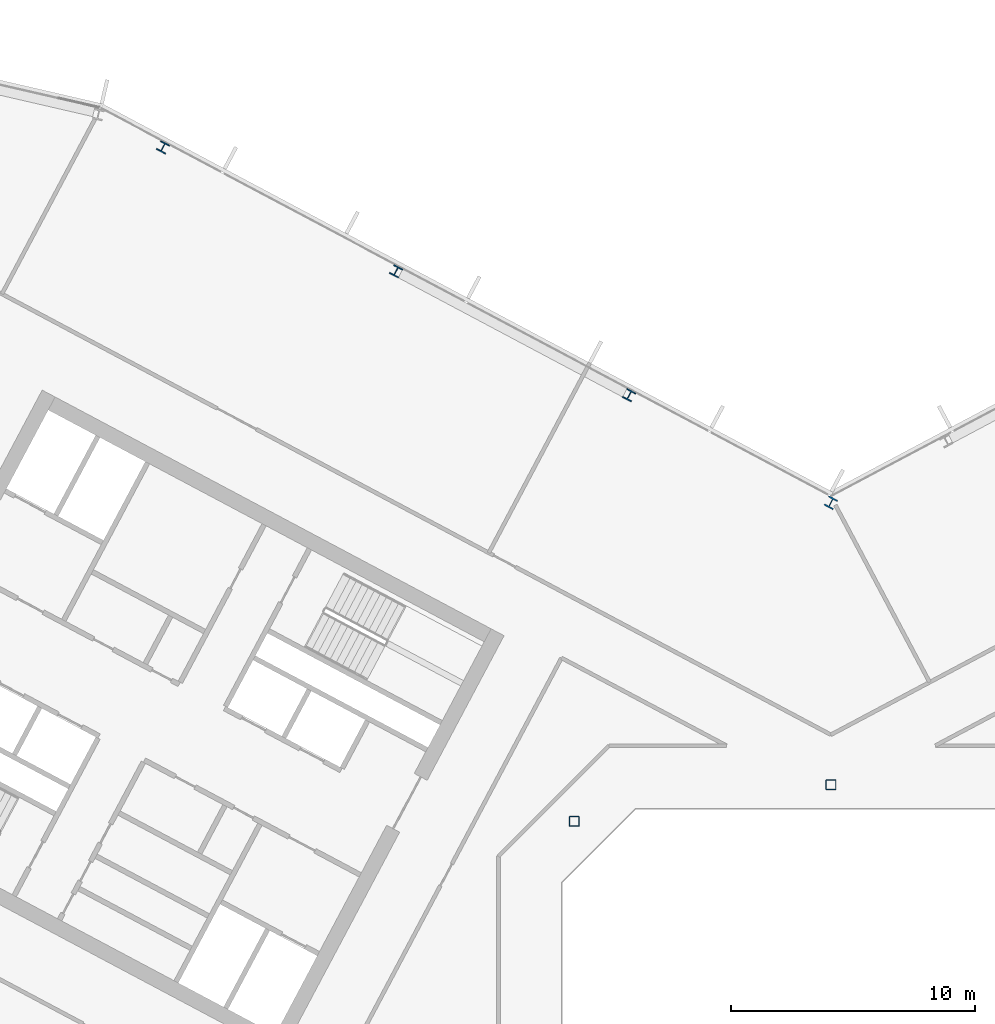
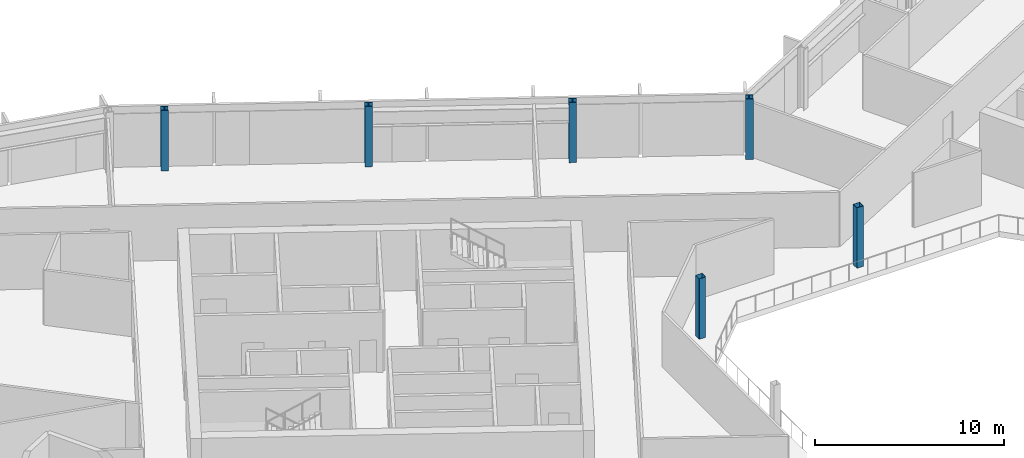
# One storey, part 4 of 26: 6 columns.
"""IFC4 building model written with IfcOpenShell, lengths in metres."""

from ifc_helpers import new_model, si_unit, direction, frame, origin, origin_2d, place, context, subcontext, project, spatial, hollow_rectangle, i_section, extrude, material, material_profile, profile_set, type_object, element, save


model = new_model("IFC4")

# Units and contexts
model_context = context("Model", 3, precision=1e-05, world=origin(), true_north=direction((0.0, 1.0)))
body_context = subcontext(model_context, "Body", "Model", "MODEL_VIEW")
ifc_project = project(units=[si_unit("LENGTHUNIT", "METRE"), si_unit("AREAUNIT", "SQUARE_METRE"), si_unit("VOLUMEUNIT", "CUBIC_METRE"), si_unit("PLANEANGLEUNIT", "RADIAN"), si_unit("MASSUNIT", "GRAM", prefix="KILO")], contexts=[model_context])

# Site, building, storey
site_placement = place(None, origin())
site = spatial("IfcSite", under=ifc_project, at=site_placement, CompositionType="ELEMENT")
building_placement = place(site_placement, origin())
building = spatial("IfcBuilding", under=site, at=building_placement, Name="Cormorant Relay Tower", CompositionType="ELEMENT")
storey_placement = place(building_placement, frame((0.0, 0.0, 244.199951171875)))
storey = spatial("IfcBuildingStorey", under=building, at=storey_placement, Name="L54", CompositionType="ELEMENT", Elevation=244.199951171875)

# Columns
ifc_material_1 = material(Name="Steel ASTM A500 Grade C (Fy 345 MPa)", Category="steel")
ifc_material_profile_1 = material_profile(ifc_material_1, hollow_rectangle(XDim=0.406494140625, YDim=0.406494140625, WallThickness=0.0146484375, InnerFilletRadius=0.00732421875, OuterFilletRadius=0.022216796875, at=origin_2d()), Name="HSS406x406x15")
ifc_profile_set_1 = profile_set([ifc_material_profile_1], Name="Steel ASTM A500 Grade C (Fy 345 MPa)")
column_type_1 = type_object("IfcColumnType", Name="Column HSS406x406x15", PredefinedType="COLUMN", material=ifc_profile_set_1)
for number, where, z_axis, x_axis, name in (
    (1, (-10.5, 10.5, 0.0), (0.0, 0.0, 1.0), (1.0, 0.0, 0.0), "Column L54-023"),
    (2, (0.0, 12.0, 0.0), (0.0, 0.0, 1.0), (1.0, 0.0, 0.0), "Column L54-025"),
):
    element("IfcColumn", number, at=place(storey_placement, frame(where, z_axis=z_axis, x_axis=x_axis)), inside=storey, type_object=column_type_1, Name=name, PredefinedType="COLUMN", context=body_context, shape_type="SweptSolid", body=[
        extrude(hollow_rectangle(XDim=0.406494140625, YDim=0.406494140625, WallThickness=0.0146484375, InnerFilletRadius=0.00732421875, OuterFilletRadius=0.022216796875, at=origin_2d()), origin(), (0.0, 0.0, 1.0), 3.900146484375),
    ])
ifc_material_2 = material(Name="Steel ASTM A992 (Fy 345 MPa)", Category="steel")
ifc_material_profile_2 = material_profile(ifc_material_2, i_section(OverallWidth=0.40380859375, OverallDepth=0.406494140625, WebThickness=0.027099609375, FlangeThickness=0.043701171875, FilletRadius=0.01513671875, at=origin_2d()), Name="W360x347")
ifc_profile_set_2 = profile_set([ifc_material_profile_2], Name="Steel ASTM A992 (Fy 345 MPa)")
column_type_2 = type_object("IfcColumnType", Name="Column W360x347", PredefinedType="COLUMN", material=ifc_profile_set_2)
for number, where, z_axis, x_axis, name in (
    (3, (-8.251953125, 27.93408203125, 0.0), (0.0, 0.0, 1.0), (-0.882947592859, 0.469471562786, 0.0), "Column L54-033"),
    (4, (-17.7880859375, 33.00390625, 0.0), (0.0, 0.0, 1.0), (-0.882947592859, 0.469471562786, 0.0), "Column L54-037"),
    (5, (-27.322998046875, 38.073974609375, 0.0), (0.0, 0.0, 1.0), (-0.882947592859, 0.469471562786, 0.0), "Column L54-040"),
):
    element("IfcColumn", number, at=place(storey_placement, frame(where, z_axis=z_axis, x_axis=x_axis)), inside=storey, type_object=column_type_2, Name=name, PredefinedType="COLUMN", context=body_context, shape_type="SweptSolid", body=[
        extrude(i_section(OverallWidth=0.40380859375, OverallDepth=0.406494140625, WebThickness=0.027099609375, FlangeThickness=0.043701171875, FilletRadius=0.01513671875, at=origin_2d()), origin(), (0.0, 0.0, 1.0), 3.900146484375),
    ])
ifc_material_3 = material(Name="Steel ASTM A992 (Fy 345 MPa)", Category="steel")
ifc_material_profile_3 = material_profile(ifc_material_3, i_section(OverallWidth=0.41162109375, OverallDepth=0.434326171875, WebThickness=0.035888671875, FlangeThickness=0.057373046875, FilletRadius=0.01513671875, at=origin_2d()), Name="W360x463")
ifc_profile_set_3 = profile_set([ifc_material_profile_3], Name="Steel ASTM A992 (Fy 345 MPa)")
column_type_3 = type_object("IfcColumnType", Name="Column W360x463", PredefinedType="COLUMN", material=ifc_profile_set_3)
column_placement = place(storey_placement, frame((0.0, 23.533935546875, 0.0), z_axis=(0.0, 0.0, 1.0), x_axis=(-0.882947592859, 0.469471562786, 0.0)))
element("IfcColumn", 6, at=column_placement, inside=storey, type_object=column_type_3, Name="Column L54-030", PredefinedType="COLUMN", context=body_context, shape_type="SweptSolid", body=[
    extrude(i_section(OverallWidth=0.41162109375, OverallDepth=0.434326171875, WebThickness=0.035888671875, FlangeThickness=0.057373046875, FilletRadius=0.01513671875, at=origin_2d()), origin(), (0.0, 0.0, 1.0), 3.900146484375),
])

save(model, "model.ifc")
